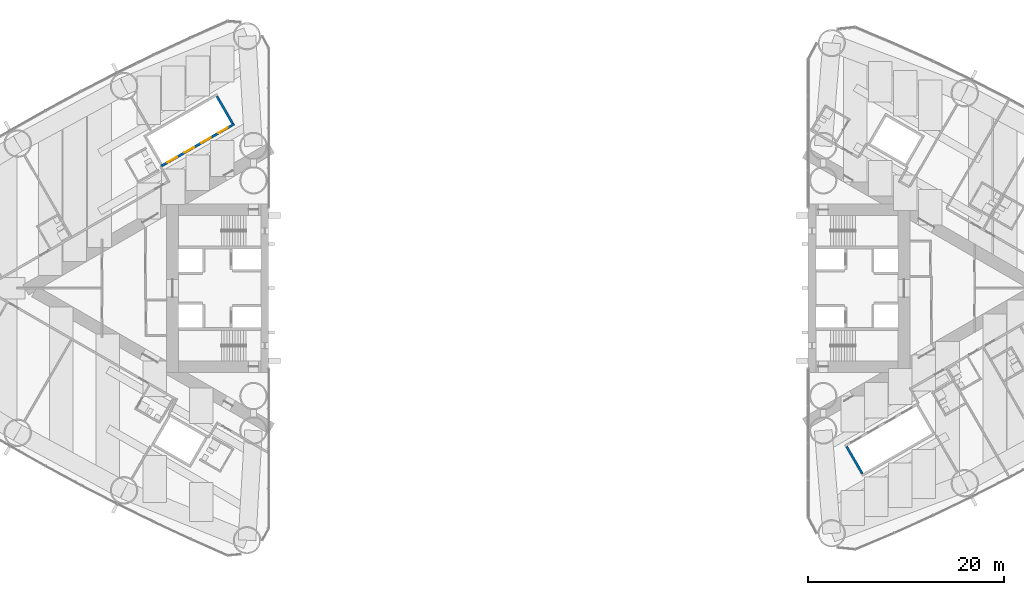
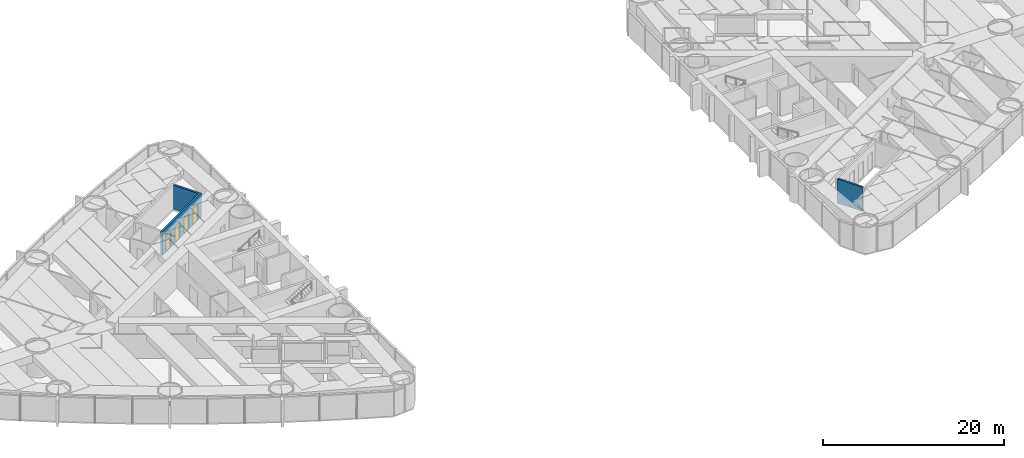
# One storey, part 13 of 19: 4 doors, 3 walls, 4 openings.
"""IFC4 building model written with IfcOpenShell, lengths in metres."""

from ifc_helpers import new_model, si_unit, direction, frame, frame_2d, origin, place, context, subcontext, project, spatial, rectangle, extrude, material, layer, layer_set, type_object, element, fill, save


model = new_model("IFC4")

# Units and contexts
model_context = context("Model", 3, precision=1e-05, world=origin(), true_north=direction((0.0, 1.0)))
body_context = subcontext(model_context, "Body", "Model", "MODEL_VIEW")
ifc_project = project(units=[si_unit("LENGTHUNIT", "METRE"), si_unit("AREAUNIT", "SQUARE_METRE"), si_unit("VOLUMEUNIT", "CUBIC_METRE"), si_unit("PLANEANGLEUNIT", "RADIAN"), si_unit("MASSUNIT", "GRAM", prefix="KILO")], contexts=[model_context])

# Site, building, storey
site_placement = place(None, origin())
site = spatial("IfcSite", under=ifc_project, at=site_placement, CompositionType="ELEMENT")
building_placement = place(site_placement, origin())
building = spatial("IfcBuilding", under=site, at=building_placement, Name="Lancet Gate Hotel", CompositionType="ELEMENT")
storey_placement = place(building_placement, frame((0.0, 0.0, 67.0)))
storey = spatial("IfcBuildingStorey", under=building, at=storey_placement, Name="L17", CompositionType="ELEMENT", Elevation=67.0)

# Wall, openings, doors
ifc_material_1 = material(Name="Gypsum board partition")
ifc_layer = layer(ifc_material_1, 0.25)
ifc_layer_set = layer_set([ifc_layer], Name="Lift shaft partition 250")
wall_type = type_object("IfcWallType", Name="Lift shaft partition 250", PredefinedType="PARTITIONING", material=ifc_layer_set)
wall_placement = place(storey_placement, frame((-31.010498046875, 16.747314453125, 0.0), z_axis=(0.0, 0.0, 1.0), x_axis=(-0.866028165386, -0.499995216735, 0.0)))
wall = element("IfcWall", 1, at=wall_placement, inside=storey, type_object=wall_type, Name="T1 lift shaft wall LR L17", PredefinedType="PARTITIONING", context=body_context, shape_type="SweptSolid", body=[
    extrude(rectangle(XDim=8.60009765625, YDim=0.25, at=frame_2d((4.300048828125, 0.0))), origin(), (0.0, 0.0, 1.0), 3.25),
])
opening_1_placement = place(wall_placement, frame((0.75, 0.0, 0.0)))
opening_1 = element("IfcOpeningElement", 2, at=opening_1_placement, cuts=wall, Name="Opening T1-LR1-L17", PredefinedType="OPENING", context=body_context, shape_type="SweptSolid", body=[
    extrude(rectangle(XDim=1.10009765625, YDim=2.199951171875, at=frame_2d((0.550048828125, 1.10009765625))), frame((0.0, 0.135009765625, 0.0), z_axis=(0.0, -1.0, 0.0), x_axis=(1.0, 0.0, 0.0)), (0.0, 0.0, 1.0), 0.27001953125),
])
opening_2_placement = place(wall_placement, frame((2.75, 0.0, 0.0)))
opening_2 = element("IfcOpeningElement", 3, at=opening_2_placement, cuts=wall, Name="Opening T1-LR2-L17", PredefinedType="OPENING", context=body_context, shape_type="SweptSolid", body=[
    extrude(rectangle(XDim=1.10009765625, YDim=2.199951171875, at=frame_2d((0.550048828125, 1.10009765625))), frame((0.0, 0.135009765625, 0.0), z_axis=(0.0, -1.0, 0.0), x_axis=(1.0, 0.0, 0.0)), (0.0, 0.0, 1.0), 0.27001953125),
])
opening_3_placement = place(wall_placement, frame((4.75, 0.0, 0.0)))
opening_3 = element("IfcOpeningElement", 4, at=opening_3_placement, cuts=wall, Name="Opening T1-LR3-L17", PredefinedType="OPENING", context=body_context, shape_type="SweptSolid", body=[
    extrude(rectangle(XDim=1.10009765625, YDim=2.199951171875, at=frame_2d((0.550048828125, 1.10009765625))), frame((0.0, 0.135009765625, 0.0), z_axis=(0.0, -1.0, 0.0), x_axis=(1.0, 0.0, 0.0)), (0.0, 0.0, 1.0), 0.27001953125),
])
opening_4_placement = place(wall_placement, frame((6.75, 0.0, 0.0)))
opening_4 = element("IfcOpeningElement", 5, at=opening_4_placement, cuts=wall, Name="Opening T1-LR4-L17", PredefinedType="OPENING", context=body_context, shape_type="SweptSolid", body=[
    extrude(rectangle(XDim=1.10009765625, YDim=2.199951171875, at=frame_2d((0.550048828125, 1.10009765625))), frame((0.0, 0.135009765625, 0.0), z_axis=(0.0, -1.0, 0.0), x_axis=(1.0, 0.0, 0.0)), (0.0, 0.0, 1.0), 0.27001953125),
])
ifc_material_2 = material(Name="Steel door set", Category="steel")
door_type = type_object("IfcDoorType", Name="Lift landing door 1100", OperationType="DOUBLE_DOOR_SLIDING", PredefinedType="USERDEFINED", material=ifc_material_2)
door_1_placement = place(opening_1_placement, origin())
door_1 = element("IfcDoor", 6, at=door_1_placement, inside=storey, type_object=door_type, Name="T1-LR1-L17", ObjectType="LIFT LANDING DOOR", OperationType="DOUBLE_DOOR_SLIDING", OverallHeight=2.199951171875, OverallWidth=1.10009765625, PredefinedType="USERDEFINED", context=body_context, shape_type="SweptSolid", body=[
    extrude(rectangle(XDim=1.10009765625, YDim=2.199951171875, at=frame_2d((0.550048828125, 1.10009765625))), frame((0.0, 0.02490234375, 0.0), z_axis=(0.0, -1.0, 0.0), x_axis=(1.0, 0.0, 0.0)), (0.0, 0.0, 1.0), 0.050048828125),
])
fill(opening_1, door_1)
door_2_placement = place(opening_2_placement, origin())
door_2 = element("IfcDoor", 7, at=door_2_placement, inside=storey, type_object=door_type, Name="T1-LR2-L17", ObjectType="LIFT LANDING DOOR", OperationType="DOUBLE_DOOR_SLIDING", OverallHeight=2.199951171875, OverallWidth=1.10009765625, PredefinedType="USERDEFINED", context=body_context, shape_type="SweptSolid", body=[
    extrude(rectangle(XDim=1.10009765625, YDim=2.199951171875, at=frame_2d((0.550048828125, 1.10009765625))), frame((0.0, 0.02490234375, 0.0), z_axis=(0.0, -1.0, 0.0), x_axis=(1.0, 0.0, 0.0)), (0.0, 0.0, 1.0), 0.050048828125),
])
fill(opening_2, door_2)
door_3_placement = place(opening_3_placement, origin())
door_3 = element("IfcDoor", 8, at=door_3_placement, inside=storey, type_object=door_type, Name="T1-LR3-L17", ObjectType="LIFT LANDING DOOR", OperationType="DOUBLE_DOOR_SLIDING", OverallHeight=2.199951171875, OverallWidth=1.10009765625, PredefinedType="USERDEFINED", context=body_context, shape_type="SweptSolid", body=[
    extrude(rectangle(XDim=1.10009765625, YDim=2.199951171875, at=frame_2d((0.550048828125, 1.10009765625))), frame((0.0, 0.02490234375, 0.0), z_axis=(0.0, -1.0, 0.0), x_axis=(1.0, 0.0, 0.0)), (0.0, 0.0, 1.0), 0.050048828125),
])
fill(opening_3, door_3)
door_4_placement = place(opening_4_placement, origin())
door_4 = element("IfcDoor", 9, at=door_4_placement, inside=storey, type_object=door_type, Name="T1-LR4-L17", ObjectType="LIFT LANDING DOOR", OperationType="DOUBLE_DOOR_SLIDING", OverallHeight=2.199951171875, OverallWidth=1.10009765625, PredefinedType="USERDEFINED", context=body_context, shape_type="SweptSolid", body=[
    extrude(rectangle(XDim=1.10009765625, YDim=2.199951171875, at=frame_2d((0.550048828125, 1.10009765625))), frame((0.0, 0.02490234375, 0.0), z_axis=(0.0, -1.0, 0.0), x_axis=(1.0, 0.0, 0.0)), (0.0, 0.0, 1.0), 0.050048828125),
])
fill(opening_4, door_4)

# Walls
for number, where, z_axis, x_axis, name in (
    (10, (-31.18115234375, 16.79296875, 0.0), (0.0, 0.0, 1.0), (-0.499929347863, 0.866066190972, 0.0), "T1 lift shaft wall LR L17"),
    (11, (31.441162109375, -16.14306640625, 0.0), (0.0, 0.0, 1.0), (0.499929347863, -0.866066190972, 0.0), "T2 lift shaft wall LR L17"),
):
    element("IfcWall", number, at=place(storey_placement, frame(where, z_axis=z_axis, x_axis=x_axis)), inside=storey, type_object=wall_type, Name=name, PredefinedType="PARTITIONING", context=body_context, shape_type="SweptSolid", body=[
        extrude(rectangle(XDim=3.20068359375, YDim=0.25, at=frame_2d((1.600341796875, 0.0))), origin(), (0.0, 0.0, 1.0), 3.25),
    ])

save(model, "model.ifc")
